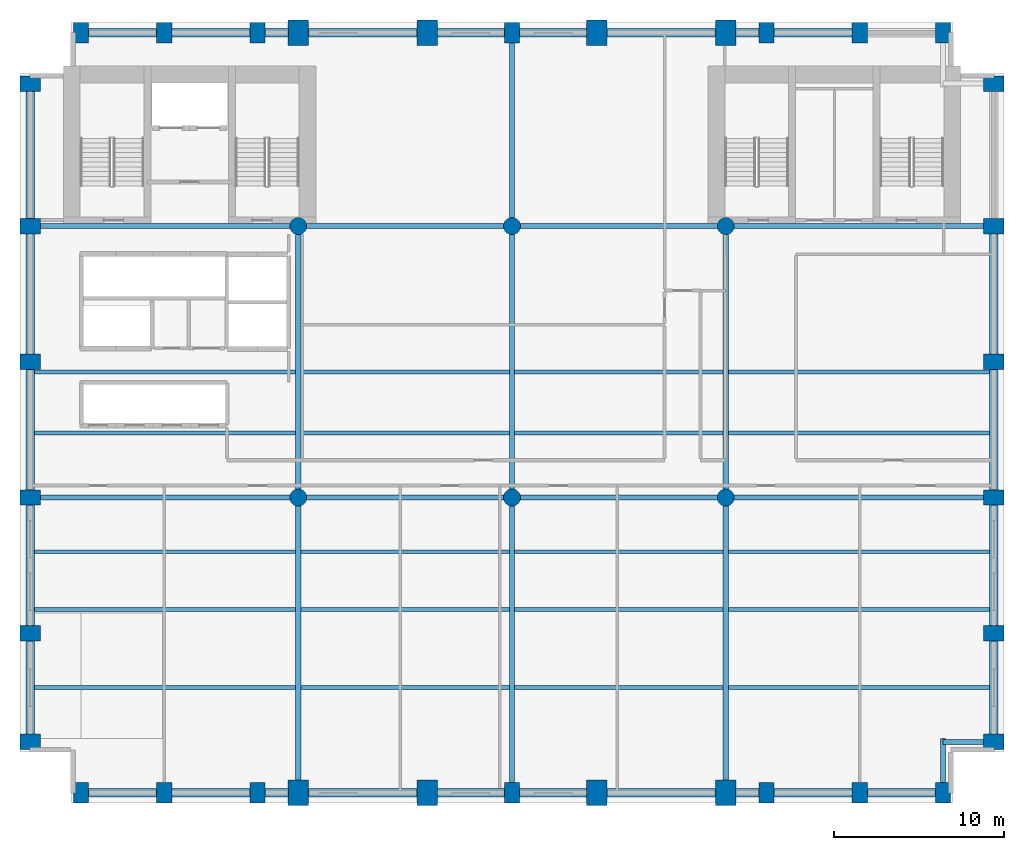
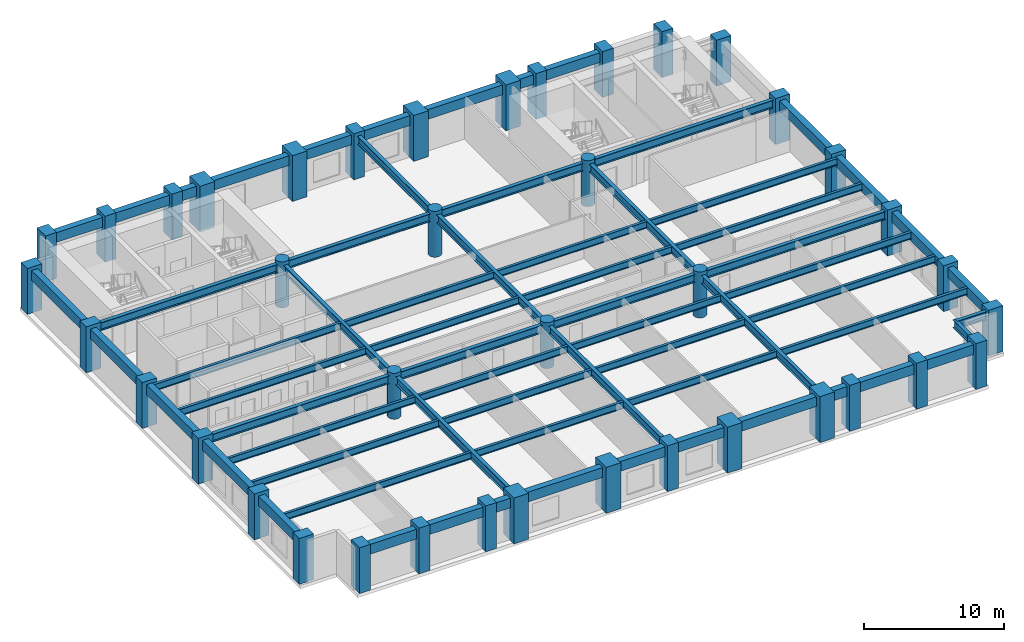
# One storey, part 1 of 9: 65 beams, 40 columns.
"""IFC4 building model written with IfcOpenShell, lengths in metres."""

from ifc_helpers import new_model, si_unit, direction, frame, origin, origin_2d, place, context, subcontext, project, spatial, rectangle, circle, i_section, extrude, material, material_profile, profile_set, type_object, element, save


model = new_model("IFC4")

# Units and contexts
model_context = context("Model", 3, precision=1e-05, world=origin(), true_north=direction((0.0, 1.0)))
body_context = subcontext(model_context, "Body", "Model", "MODEL_VIEW")
ifc_project = project(units=[si_unit("LENGTHUNIT", "METRE"), si_unit("AREAUNIT", "SQUARE_METRE"), si_unit("VOLUMEUNIT", "CUBIC_METRE"), si_unit("PLANEANGLEUNIT", "RADIAN"), si_unit("MASSUNIT", "GRAM", prefix="KILO")], contexts=[model_context])

# Site, building, storey
site_placement = place(None, origin())
site = spatial("IfcSite", under=ifc_project, at=site_placement, CompositionType="ELEMENT")
building_placement = place(site_placement, origin())
building = spatial("IfcBuilding", under=site, at=building_placement, Name="Sulina Concourse Tower", CompositionType="ELEMENT")
storey_placement = place(building_placement, frame((0.0, 0.0, 66.60009765625)))
storey = spatial("IfcBuildingStorey", under=building, at=storey_placement, Name="L16", CompositionType="ELEMENT", Elevation=66.60009765625)

# Columns
ifc_material_1 = material(Name="Concrete C60/75", Category="concrete")
ifc_material_profile_1 = material_profile(ifc_material_1, circle(Radius=0.5, at=origin_2d()), Name="RC D1000")
ifc_profile_set_1 = profile_set([ifc_material_profile_1], Name="Concrete C60/75")
column_type_1 = type_object("IfcColumnType", Name="Lower Interior Circular Column D1000", PredefinedType="COLUMN", material=ifc_profile_set_1)
for number, where, z_axis, x_axis, name in (
    (1, (16.39990234375, 18.0, 0.0), (0.0, 0.0, 1.0), (1.0, 0.0, 0.0), "L16 structural column IC-M-164"),
    (2, (16.39990234375, 34.0, 0.0), (0.0, 0.0, 1.0), (1.0, 0.0, 0.0), "L16 structural column IC-N-164"),
    (3, (29.0, 18.0, 0.0), (0.0, 0.0, 1.0), (1.0, 0.0, 0.0), "L16 structural column IC-M-290"),
    (4, (29.0, 34.0, 0.0), (0.0, 0.0, 1.0), (1.0, 0.0, 0.0), "L16 structural column IC-N-290"),
    (5, (41.60009765625, 18.0, 0.0), (0.0, 0.0, 1.0), (1.0, 0.0, 0.0), "L16 structural column IC-M-416"),
    (6, (41.60009765625, 34.0, 0.0), (0.0, 0.0, 1.0), (1.0, 0.0, 0.0), "L16 structural column IC-N-416"),
):
    element("IfcColumn", number, at=place(storey_placement, frame(where, z_axis=z_axis, x_axis=x_axis)), inside=storey, type_object=column_type_1, Name=name, PredefinedType="COLUMN", context=body_context, shape_type="SweptSolid", body=[
        extrude(circle(Radius=0.5, at=origin_2d()), origin(), (0.0, 0.0, 1.0), 4.0),
    ])
ifc_material_2 = material(Name="Concrete C80/95", Category="concrete")
ifc_material_profile_2 = material_profile(ifc_material_2, rectangle(XDim=1.199951171875, YDim=1.5, at=origin_2d()), Name="RC 1200x1500")
ifc_profile_set_2 = profile_set([ifc_material_profile_2], Name="Concrete C80/95")
column_type_2 = type_object("IfcColumnType", Name="Lower Portal End-Leg Column 1200x1500", PredefinedType="COLUMN", material=ifc_profile_set_2)
for number, where, z_axis, x_axis, name in (
    (7, (16.39990234375, 0.60009765625, 0.0), (0.0, 0.0, 1.0), (1.0, 0.0, 0.0), "L16 structural column TP-S-164"),
    (8, (16.39990234375, 45.39990234375, 0.0), (0.0, 0.0, 1.0), (1.0, 0.0, 0.0), "L16 structural column TP-N-164"),
    (9, (24.0, 0.60009765625, 0.0), (0.0, 0.0, 1.0), (1.0, 0.0, 0.0), "L16 structural column TP-S-240"),
    (10, (24.0, 45.39990234375, 0.0), (0.0, 0.0, 1.0), (1.0, 0.0, 0.0), "L16 structural column TP-N-240"),
    (11, (34.0, 0.60009765625, 0.0), (0.0, 0.0, 1.0), (1.0, 0.0, 0.0), "L16 structural column TP-S-340"),
    (12, (34.0, 45.39990234375, 0.0), (0.0, 0.0, 1.0), (1.0, 0.0, 0.0), "L16 structural column TP-N-340"),
    (13, (41.60009765625, 0.60009765625, 0.0), (0.0, 0.0, 1.0), (1.0, 0.0, 0.0), "L16 structural column TP-S-416"),
    (14, (41.60009765625, 45.39990234375, 0.0), (0.0, 0.0, 1.0), (1.0, 0.0, 0.0), "L16 structural column TP-N-416"),
):
    element("IfcColumn", number, at=place(storey_placement, frame(where, z_axis=z_axis, x_axis=x_axis)), inside=storey, type_object=column_type_2, Name=name, PredefinedType="COLUMN", context=body_context, shape_type="SweptSolid", body=[
        extrude(rectangle(XDim=1.199951171875, YDim=1.5, at=origin_2d()), origin(), (0.0, 0.0, 1.0), 4.0),
    ])
ifc_material_3 = material(Name="Precast concrete C60/75", Category="concrete")
ifc_material_profile_3 = material_profile(ifc_material_3, rectangle(XDim=0.89990234375, YDim=1.199951171875, at=origin_2d()), Name="PC 900x1200")
ifc_profile_set_3 = profile_set([ifc_material_profile_3], Name="Precast concrete C60/75")
column_type_3 = type_object("IfcColumnType", Name="Precast Tube Pier Zone 1 900x1200", PredefinedType="COLUMN", material=ifc_profile_set_3)
for number, where, z_axis, x_axis, name in (
    (15, (3.60009765625, 0.60009765625, 0.0), (0.0, 0.0, 1.0), (1.0, 0.0, 0.0), "L16 structural column TP-S-36"),
    (16, (3.60009765625, 45.39990234375, 0.0), (0.0, 0.0, 1.0), (1.0, 0.0, 0.0), "L16 structural column TP-N-36"),
    (17, (8.5, 0.60009765625, 0.0), (0.0, 0.0, 1.0), (1.0, 0.0, 0.0), "L16 structural column TP-S-85"),
    (18, (8.5, 45.39990234375, 0.0), (0.0, 0.0, 1.0), (1.0, 0.0, 0.0), "L16 structural column TP-N-85"),
    (19, (14.0, 0.60009765625, 0.0), (0.0, 0.0, 1.0), (1.0, 0.0, 0.0), "L16 structural column TP-S-140"),
    (20, (14.0, 45.39990234375, 0.0), (0.0, 0.0, 1.0), (1.0, 0.0, 0.0), "L16 structural column TP-N-140"),
    (21, (29.0, 0.60009765625, 0.0), (0.0, 0.0, 1.0), (1.0, 0.0, 0.0), "L16 structural column TP-S-290"),
    (22, (29.0, 45.39990234375, 0.0), (0.0, 0.0, 1.0), (1.0, 0.0, 0.0), "L16 structural column TP-N-290"),
    (23, (44.0, 0.60009765625, 0.0), (0.0, 0.0, 1.0), (1.0, 0.0, 0.0), "L16 structural column TP-S-440"),
    (24, (44.0, 45.39990234375, 0.0), (0.0, 0.0, 1.0), (1.0, 0.0, 0.0), "L16 structural column TP-N-440"),
    (25, (49.5, 0.60009765625, 0.0), (0.0, 0.0, 1.0), (1.0, 0.0, 0.0), "L16 structural column TP-S-495"),
    (26, (49.5, 45.39990234375, 0.0), (0.0, 0.0, 1.0), (1.0, 0.0, 0.0), "L16 structural column TP-N-495"),
    (27, (54.39990234375, 0.60009765625, 0.0), (0.0, 0.0, 1.0), (1.0, 0.0, 0.0), "L16 structural column TP-S-544"),
    (28, (54.39990234375, 45.39990234375, 0.0), (0.0, 0.0, 1.0), (1.0, 0.0, 0.0), "L16 structural column TP-N-544"),
    (29, (0.60009765625, 3.60009765625, 0.0), (0.0, 0.0, 1.0), (0.0, 1.0, 0.0), "L16 structural column TP-W-36"),
    (30, (57.39990234375, 3.60009765625, 0.0), (0.0, 0.0, 1.0), (0.0, 1.0, 0.0), "L16 structural column TP-E-36"),
    (31, (0.60009765625, 10.0, 0.0), (0.0, 0.0, 1.0), (0.0, 1.0, 0.0), "L16 structural column TP-W-100"),
    (32, (57.39990234375, 10.0, 0.0), (0.0, 0.0, 1.0), (0.0, 1.0, 0.0), "L16 structural column TP-E-100"),
    (33, (0.60009765625, 18.0, 0.0), (0.0, 0.0, 1.0), (0.0, 1.0, 0.0), "L16 structural column TP-W-180"),
    (34, (57.39990234375, 18.0, 0.0), (0.0, 0.0, 1.0), (0.0, 1.0, 0.0), "L16 structural column TP-E-180"),
    (35, (0.60009765625, 26.0, 0.0), (0.0, 0.0, 1.0), (0.0, 1.0, 0.0), "L16 structural column TP-W-260"),
    (36, (57.39990234375, 26.0, 0.0), (0.0, 0.0, 1.0), (0.0, 1.0, 0.0), "L16 structural column TP-E-260"),
    (37, (0.60009765625, 34.0, 0.0), (0.0, 0.0, 1.0), (0.0, 1.0, 0.0), "L16 structural column TP-W-340"),
    (38, (57.39990234375, 34.0, 0.0), (0.0, 0.0, 1.0), (0.0, 1.0, 0.0), "L16 structural column TP-E-340"),
    (39, (0.60009765625, 42.39990234375, 0.0), (0.0, 0.0, 1.0), (0.0, 1.0, 0.0), "L16 structural column TP-W-424"),
    (40, (57.39990234375, 42.39990234375, 0.0), (0.0, 0.0, 1.0), (0.0, 1.0, 0.0), "L16 structural column TP-E-424"),
):
    element("IfcColumn", number, at=place(storey_placement, frame(where, z_axis=z_axis, x_axis=x_axis)), inside=storey, type_object=column_type_3, Name=name, PredefinedType="COLUMN", context=body_context, shape_type="SweptSolid", body=[
        extrude(rectangle(XDim=0.89990234375, YDim=1.199951171875, at=origin_2d()), origin(), (0.0, 0.0, 1.0), 4.0),
    ])

# Beams
ifc_material_4 = material(Name="Steel S355", Category="steel")
ifc_material_profile_4 = material_profile(ifc_material_4, i_section(OverallWidth=0.219970703125, OverallDepth=0.60009765625, WebThickness=0.011962890625, FlangeThickness=0.01904296875, at=origin_2d()), Name="IPE 600")
ifc_profile_set_4 = profile_set([ifc_material_profile_4], Name="Steel S355")
beam_type_1 = type_object("IfcBeamType", Name="Composite Floor Joist IPE600", PredefinedType="JOIST", material=ifc_profile_set_4)
beam_1_placement = place(storey_placement, frame((0.85009765625, 6.800048828125, 3.39990234375), z_axis=(1.0, 0.0, 0.0), x_axis=(0.0, 1.0, 0.0)))
element("IfcBeam", 41, at=beam_1_placement, inside=storey, type_object=beam_type_1, Name="FJ-J06-1-L16", PredefinedType="JOIST", context=body_context, shape_type="SweptSolid", body=[
    extrude(i_section(OverallWidth=0.219970703125, OverallDepth=0.60009765625, WebThickness=0.011962890625, FlangeThickness=0.01904296875, at=origin_2d()), origin(), (0.0, 0.0, 1.0), 15.39990234375),
])
for number, where, z_axis, x_axis, name in (
    (42, (16.550048828125, 6.800048828125, 3.39990234375), (1.0, 0.0, 0.0), (0.0, 1.0, 0.0), "FJ-J06-2-L16"),
    (43, (29.14990234375, 6.800048828125, 3.39990234375), (1.0, 0.0, 0.0), (0.0, 1.0, 0.0), "FJ-J06-3-L16"),
):
    element("IfcBeam", number, at=place(storey_placement, frame(where, z_axis=z_axis, x_axis=x_axis)), inside=storey, type_object=beam_type_1, Name=name, PredefinedType="JOIST", context=body_context, shape_type="SweptSolid", body=[
        extrude(i_section(OverallWidth=0.219970703125, OverallDepth=0.60009765625, WebThickness=0.011962890625, FlangeThickness=0.01904296875, at=origin_2d()), origin(), (0.0, 0.0, 1.0), 12.300048828125),
    ])
for number, where, z_axis, x_axis, name in (
    (44, (41.75, 6.800048828125, 3.39990234375), (1.0, 0.0, 0.0), (0.0, 1.0, 0.0), "FJ-J06-4-L16"),
    (45, (0.85009765625, 11.39990234375, 3.39990234375), (1.0, 0.0, 0.0), (0.0, 1.0, 0.0), "FJ-J11-1-L16"),
):
    element("IfcBeam", number, at=place(storey_placement, frame(where, z_axis=z_axis, x_axis=x_axis)), inside=storey, type_object=beam_type_1, Name=name, PredefinedType="JOIST", context=body_context, shape_type="SweptSolid", body=[
        extrude(i_section(OverallWidth=0.219970703125, OverallDepth=0.60009765625, WebThickness=0.011962890625, FlangeThickness=0.01904296875, at=origin_2d()), origin(), (0.0, 0.0, 1.0), 15.39990234375),
    ])
for number, where, z_axis, x_axis, name in (
    (46, (16.550048828125, 11.39990234375, 3.39990234375), (1.0, 0.0, 0.0), (0.0, 1.0, 0.0), "FJ-J11-2-L16"),
    (47, (29.14990234375, 11.39990234375, 3.39990234375), (1.0, 0.0, 0.0), (0.0, 1.0, 0.0), "FJ-J11-3-L16"),
):
    element("IfcBeam", number, at=place(storey_placement, frame(where, z_axis=z_axis, x_axis=x_axis)), inside=storey, type_object=beam_type_1, Name=name, PredefinedType="JOIST", context=body_context, shape_type="SweptSolid", body=[
        extrude(i_section(OverallWidth=0.219970703125, OverallDepth=0.60009765625, WebThickness=0.011962890625, FlangeThickness=0.01904296875, at=origin_2d()), origin(), (0.0, 0.0, 1.0), 12.300048828125),
    ])
for number, where, z_axis, x_axis, name in (
    (48, (41.75, 11.39990234375, 3.39990234375), (1.0, 0.0, 0.0), (0.0, 1.0, 0.0), "FJ-J11-4-L16"),
    (49, (0.85009765625, 14.800048828125, 3.39990234375), (1.0, 0.0, 0.0), (0.0, 1.0, 0.0), "FJ-J15-1-L16"),
):
    element("IfcBeam", number, at=place(storey_placement, frame(where, z_axis=z_axis, x_axis=x_axis)), inside=storey, type_object=beam_type_1, Name=name, PredefinedType="JOIST", context=body_context, shape_type="SweptSolid", body=[
        extrude(i_section(OverallWidth=0.219970703125, OverallDepth=0.60009765625, WebThickness=0.011962890625, FlangeThickness=0.01904296875, at=origin_2d()), origin(), (0.0, 0.0, 1.0), 15.39990234375),
    ])
for number, where, z_axis, x_axis, name in (
    (50, (16.550048828125, 14.800048828125, 3.39990234375), (1.0, 0.0, 0.0), (0.0, 1.0, 0.0), "FJ-J15-2-L16"),
    (51, (29.14990234375, 14.800048828125, 3.39990234375), (1.0, 0.0, 0.0), (0.0, 1.0, 0.0), "FJ-J15-3-L16"),
):
    element("IfcBeam", number, at=place(storey_placement, frame(where, z_axis=z_axis, x_axis=x_axis)), inside=storey, type_object=beam_type_1, Name=name, PredefinedType="JOIST", context=body_context, shape_type="SweptSolid", body=[
        extrude(i_section(OverallWidth=0.219970703125, OverallDepth=0.60009765625, WebThickness=0.011962890625, FlangeThickness=0.01904296875, at=origin_2d()), origin(), (0.0, 0.0, 1.0), 12.300048828125),
    ])
for number, where, z_axis, x_axis, name in (
    (52, (41.75, 14.800048828125, 3.39990234375), (1.0, 0.0, 0.0), (0.0, 1.0, 0.0), "FJ-J15-4-L16"),
    (53, (0.85009765625, 21.800048828125, 3.39990234375), (1.0, 0.0, 0.0), (0.0, 1.0, 0.0), "FJ-J22-1-L16"),
):
    element("IfcBeam", number, at=place(storey_placement, frame(where, z_axis=z_axis, x_axis=x_axis)), inside=storey, type_object=beam_type_1, Name=name, PredefinedType="JOIST", context=body_context, shape_type="SweptSolid", body=[
        extrude(i_section(OverallWidth=0.219970703125, OverallDepth=0.60009765625, WebThickness=0.011962890625, FlangeThickness=0.01904296875, at=origin_2d()), origin(), (0.0, 0.0, 1.0), 15.39990234375),
    ])
for number, where, z_axis, x_axis, name in (
    (54, (16.550048828125, 21.800048828125, 3.39990234375), (1.0, 0.0, 0.0), (0.0, 1.0, 0.0), "FJ-J22-2-L16"),
    (55, (29.14990234375, 21.800048828125, 3.39990234375), (1.0, 0.0, 0.0), (0.0, 1.0, 0.0), "FJ-J22-3-L16"),
):
    element("IfcBeam", number, at=place(storey_placement, frame(where, z_axis=z_axis, x_axis=x_axis)), inside=storey, type_object=beam_type_1, Name=name, PredefinedType="JOIST", context=body_context, shape_type="SweptSolid", body=[
        extrude(i_section(OverallWidth=0.219970703125, OverallDepth=0.60009765625, WebThickness=0.011962890625, FlangeThickness=0.01904296875, at=origin_2d()), origin(), (0.0, 0.0, 1.0), 12.300048828125),
    ])
for number, where, z_axis, x_axis, name in (
    (56, (41.75, 21.800048828125, 3.39990234375), (1.0, 0.0, 0.0), (0.0, 1.0, 0.0), "FJ-J22-4-L16"),
    (57, (0.85009765625, 25.39990234375, 3.39990234375), (1.0, 0.0, 0.0), (0.0, 1.0, 0.0), "FJ-J25-1-L16"),
):
    element("IfcBeam", number, at=place(storey_placement, frame(where, z_axis=z_axis, x_axis=x_axis)), inside=storey, type_object=beam_type_1, Name=name, PredefinedType="JOIST", context=body_context, shape_type="SweptSolid", body=[
        extrude(i_section(OverallWidth=0.219970703125, OverallDepth=0.60009765625, WebThickness=0.011962890625, FlangeThickness=0.01904296875, at=origin_2d()), origin(), (0.0, 0.0, 1.0), 15.39990234375),
    ])
for number, where, z_axis, x_axis, name in (
    (58, (16.550048828125, 25.39990234375, 3.39990234375), (1.0, 0.0, 0.0), (0.0, 1.0, 0.0), "FJ-J25-2-L16"),
    (59, (29.14990234375, 25.39990234375, 3.39990234375), (1.0, 0.0, 0.0), (0.0, 1.0, 0.0), "FJ-J25-3-L16"),
):
    element("IfcBeam", number, at=place(storey_placement, frame(where, z_axis=z_axis, x_axis=x_axis)), inside=storey, type_object=beam_type_1, Name=name, PredefinedType="JOIST", context=body_context, shape_type="SweptSolid", body=[
        extrude(i_section(OverallWidth=0.219970703125, OverallDepth=0.60009765625, WebThickness=0.011962890625, FlangeThickness=0.01904296875, at=origin_2d()), origin(), (0.0, 0.0, 1.0), 12.300048828125),
    ])
beam_2_placement = place(storey_placement, frame((41.75, 25.39990234375, 3.39990234375), z_axis=(1.0, 0.0, 0.0), x_axis=(0.0, 1.0, 0.0)))
element("IfcBeam", 60, at=beam_2_placement, inside=storey, type_object=beam_type_1, Name="FJ-J25-4-L16", PredefinedType="JOIST", context=body_context, shape_type="SweptSolid", body=[
    extrude(i_section(OverallWidth=0.219970703125, OverallDepth=0.60009765625, WebThickness=0.011962890625, FlangeThickness=0.01904296875, at=origin_2d()), origin(), (0.0, 0.0, 1.0), 15.39990234375),
])
ifc_material_5 = material(Name="Steel S355", Category="steel")
ifc_material_profile_5 = material_profile(ifc_material_5, i_section(OverallWidth=0.300048828125, OverallDepth=0.699951171875, WebThickness=0.01708984375, FlangeThickness=0.031982421875, at=origin_2d()), Name="HE 700 B")
ifc_profile_set_5 = profile_set([ifc_material_profile_5], Name="Steel S355")
beam_type_2 = type_object("IfcBeamType", Name="Floor Primary Girder Zone 1 HE700B", PredefinedType="BEAM", material=ifc_profile_set_5)
beam_3_placement = place(storey_placement, frame((54.39990234375, 3.60009765625, 3.349853515625), z_axis=(1.0, 0.0, 0.0), x_axis=(0.0, 1.0, 0.0)))
element("IfcBeam", 61, at=beam_3_placement, inside=storey, type_object=beam_type_2, Name="TIE-SE-L16", PredefinedType="BEAM", context=body_context, shape_type="SweptSolid", body=[
    extrude(i_section(OverallWidth=0.300048828125, OverallDepth=0.699951171875, WebThickness=0.01708984375, FlangeThickness=0.031982421875, at=origin_2d()), origin(), (0.0, 0.0, 1.0), 2.570068359375),
])
beam_4_placement = place(storey_placement, frame((54.39990234375, 1.030029296875, 3.349853515625), z_axis=(0.0, 1.0, 0.0), x_axis=(-1.0, 0.0, 0.0)))
element("IfcBeam", 62, at=beam_4_placement, inside=storey, type_object=beam_type_2, Name="TIE-SES-L16", PredefinedType="BEAM", context=body_context, shape_type="SweptSolid", body=[
    extrude(i_section(OverallWidth=0.300048828125, OverallDepth=0.699951171875, WebThickness=0.01708984375, FlangeThickness=0.031982421875, at=origin_2d()), origin(), (0.0, 0.0, 1.0), 2.77001953125),
])
beam_5_placement = place(storey_placement, frame((1.030029296875, 18.0, 3.349853515625), z_axis=(1.0, 0.0, 0.0), x_axis=(0.0, 1.0, 0.0)))
element("IfcBeam", 63, at=beam_5_placement, inside=storey, type_object=beam_type_2, Name="FG-EW1-L16", PredefinedType="BEAM", context=body_context, shape_type="SweptSolid", body=[
    extrude(i_section(OverallWidth=0.300048828125, OverallDepth=0.699951171875, WebThickness=0.01708984375, FlangeThickness=0.031982421875, at=origin_2d()), origin(), (0.0, 0.0, 1.0), 14.889892578125),
])
for number, where, z_axis, x_axis, name in (
    (64, (16.8798828125, 18.0, 3.349853515625), (1.0, 0.0, 0.0), (0.0, 1.0, 0.0), "FG-EW2-L16"),
    (65, (29.47998046875, 18.0, 3.349853515625), (1.0, 0.0, 0.0), (0.0, 1.0, 0.0), "FG-EW3-L16"),
):
    element("IfcBeam", number, at=place(storey_placement, frame(where, z_axis=z_axis, x_axis=x_axis)), inside=storey, type_object=beam_type_2, Name=name, PredefinedType="BEAM", context=body_context, shape_type="SweptSolid", body=[
        extrude(i_section(OverallWidth=0.300048828125, OverallDepth=0.699951171875, WebThickness=0.01708984375, FlangeThickness=0.031982421875, at=origin_2d()), origin(), (0.0, 0.0, 1.0), 11.64013671875),
    ])
for number, where, z_axis, x_axis, name in (
    (66, (42.080078125, 18.0, 3.349853515625), (1.0, 0.0, 0.0), (0.0, 1.0, 0.0), "FG-EW4-L16"),
    (67, (1.030029296875, 34.0, 3.349853515625), (1.0, 0.0, 0.0), (0.0, 1.0, 0.0), "FG-EWN1-L16"),
):
    element("IfcBeam", number, at=place(storey_placement, frame(where, z_axis=z_axis, x_axis=x_axis)), inside=storey, type_object=beam_type_2, Name=name, PredefinedType="BEAM", context=body_context, shape_type="SweptSolid", body=[
        extrude(i_section(OverallWidth=0.300048828125, OverallDepth=0.699951171875, WebThickness=0.01708984375, FlangeThickness=0.031982421875, at=origin_2d()), origin(), (0.0, 0.0, 1.0), 14.889892578125),
    ])
for number, where, z_axis, x_axis, name in (
    (68, (16.8798828125, 34.0, 3.349853515625), (1.0, 0.0, 0.0), (0.0, 1.0, 0.0), "FG-EWN2-L16"),
    (69, (29.47998046875, 34.0, 3.349853515625), (1.0, 0.0, 0.0), (0.0, 1.0, 0.0), "FG-EWN3-L16"),
):
    element("IfcBeam", number, at=place(storey_placement, frame(where, z_axis=z_axis, x_axis=x_axis)), inside=storey, type_object=beam_type_2, Name=name, PredefinedType="BEAM", context=body_context, shape_type="SweptSolid", body=[
        extrude(i_section(OverallWidth=0.300048828125, OverallDepth=0.699951171875, WebThickness=0.01708984375, FlangeThickness=0.031982421875, at=origin_2d()), origin(), (0.0, 0.0, 1.0), 11.64013671875),
    ])
beam_6_placement = place(storey_placement, frame((42.080078125, 34.0, 3.349853515625), z_axis=(1.0, 0.0, 0.0), x_axis=(0.0, 1.0, 0.0)))
element("IfcBeam", 70, at=beam_6_placement, inside=storey, type_object=beam_type_2, Name="FG-EWN4-L16", PredefinedType="BEAM", context=body_context, shape_type="SweptSolid", body=[
    extrude(i_section(OverallWidth=0.300048828125, OverallDepth=0.699951171875, WebThickness=0.01708984375, FlangeThickness=0.031982421875, at=origin_2d()), origin(), (0.0, 0.0, 1.0), 14.889892578125),
])
beam_7_placement = place(storey_placement, frame((16.39990234375, 1.179931640625, 3.349853515625), z_axis=(0.0, 1.0, 0.0), x_axis=(-1.0, 0.0, 0.0)))
element("IfcBeam", 71, at=beam_7_placement, inside=storey, type_object=beam_type_2, Name="FG-NSA-16-L16", PredefinedType="BEAM", context=body_context, shape_type="SweptSolid", body=[
    extrude(i_section(OverallWidth=0.300048828125, OverallDepth=0.699951171875, WebThickness=0.01708984375, FlangeThickness=0.031982421875, at=origin_2d()), origin(), (0.0, 0.0, 1.0), 16.340087890625),
])
beam_8_placement = place(storey_placement, frame((16.39990234375, 18.47998046875, 3.349853515625), z_axis=(0.0, 1.0, 0.0), x_axis=(-1.0, 0.0, 0.0)))
element("IfcBeam", 72, at=beam_8_placement, inside=storey, type_object=beam_type_2, Name="FG-NSB-16-L16", PredefinedType="BEAM", context=body_context, shape_type="SweptSolid", body=[
    extrude(i_section(OverallWidth=0.300048828125, OverallDepth=0.699951171875, WebThickness=0.01708984375, FlangeThickness=0.031982421875, at=origin_2d()), origin(), (0.0, 0.0, 1.0), 15.0400390625),
])
beam_9_placement = place(storey_placement, frame((29.0, 1.030029296875, 3.349853515625), z_axis=(0.0, 1.0, 0.0), x_axis=(-1.0, 0.0, 0.0)))
element("IfcBeam", 73, at=beam_9_placement, inside=storey, type_object=beam_type_2, Name="FG-NSA-29-L16", PredefinedType="BEAM", context=body_context, shape_type="SweptSolid", body=[
    extrude(i_section(OverallWidth=0.300048828125, OverallDepth=0.699951171875, WebThickness=0.01708984375, FlangeThickness=0.031982421875, at=origin_2d()), origin(), (0.0, 0.0, 1.0), 16.489990234375),
])
beam_10_placement = place(storey_placement, frame((29.0, 18.47998046875, 3.349853515625), z_axis=(0.0, 1.0, 0.0), x_axis=(-1.0, 0.0, 0.0)))
element("IfcBeam", 74, at=beam_10_placement, inside=storey, type_object=beam_type_2, Name="FG-NSB-29-L16", PredefinedType="BEAM", context=body_context, shape_type="SweptSolid", body=[
    extrude(i_section(OverallWidth=0.300048828125, OverallDepth=0.699951171875, WebThickness=0.01708984375, FlangeThickness=0.031982421875, at=origin_2d()), origin(), (0.0, 0.0, 1.0), 15.0400390625),
])
beam_11_placement = place(storey_placement, frame((29.0, 34.47998046875, 3.349853515625), z_axis=(0.0, 1.0, 0.0), x_axis=(-1.0, 0.0, 0.0)))
element("IfcBeam", 75, at=beam_11_placement, inside=storey, type_object=beam_type_2, Name="FG-NSC-29-L16", PredefinedType="BEAM", context=body_context, shape_type="SweptSolid", body=[
    extrude(i_section(OverallWidth=0.300048828125, OverallDepth=0.699951171875, WebThickness=0.01708984375, FlangeThickness=0.031982421875, at=origin_2d()), origin(), (0.0, 0.0, 1.0), 10.489990234375),
])
beam_12_placement = place(storey_placement, frame((41.60009765625, 1.179931640625, 3.349853515625), z_axis=(0.0, 1.0, 0.0), x_axis=(-1.0, 0.0, 0.0)))
element("IfcBeam", 76, at=beam_12_placement, inside=storey, type_object=beam_type_2, Name="FG-NSA-41-L16", PredefinedType="BEAM", context=body_context, shape_type="SweptSolid", body=[
    extrude(i_section(OverallWidth=0.300048828125, OverallDepth=0.699951171875, WebThickness=0.01708984375, FlangeThickness=0.031982421875, at=origin_2d()), origin(), (0.0, 0.0, 1.0), 16.340087890625),
])
beam_13_placement = place(storey_placement, frame((41.60009765625, 18.47998046875, 3.349853515625), z_axis=(0.0, 1.0, 0.0), x_axis=(-1.0, 0.0, 0.0)))
element("IfcBeam", 77, at=beam_13_placement, inside=storey, type_object=beam_type_2, Name="FG-NSB-41-L16", PredefinedType="BEAM", context=body_context, shape_type="SweptSolid", body=[
    extrude(i_section(OverallWidth=0.300048828125, OverallDepth=0.699951171875, WebThickness=0.01708984375, FlangeThickness=0.031982421875, at=origin_2d()), origin(), (0.0, 0.0, 1.0), 15.0400390625),
])
ifc_material_6 = material(Name="Precast concrete C50/60", Category="concrete")
ifc_material_profile_6 = material_profile(ifc_material_6, rectangle(XDim=0.5, YDim=0.85009765625, at=origin_2d()), Name="RC 500x850")
ifc_profile_set_6 = profile_set([ifc_material_profile_6], Name="Precast concrete C50/60")
beam_type_3 = type_object("IfcBeamType", Name="Lower Precast Spandrel Edge Beam 500x850", PredefinedType="BEAM", material=ifc_profile_set_6)
beam_14_placement = place(storey_placement, frame((4.030029296875, 0.60009765625, 3.27490234375), z_axis=(1.0, 0.0, 0.0), x_axis=(0.0, 1.0, 0.0)))
element("IfcBeam", 78, at=beam_14_placement, inside=storey, type_object=beam_type_3, Name="SP-S1-L16", PredefinedType="BEAM", context=body_context, shape_type="SweptSolid", body=[
    extrude(rectangle(XDim=0.5, YDim=0.85009765625, at=origin_2d()), origin(), (0.0, 0.0, 1.0), 4.0400390625),
])
beam_15_placement = place(storey_placement, frame((8.929931640625, 0.60009765625, 3.27490234375), z_axis=(1.0, 0.0, 0.0), x_axis=(0.0, 1.0, 0.0)))
element("IfcBeam", 79, at=beam_15_placement, inside=storey, type_object=beam_type_3, Name="SP-S2-L16", PredefinedType="BEAM", context=body_context, shape_type="SweptSolid", body=[
    extrude(rectangle(XDim=0.5, YDim=0.85009765625, at=origin_2d()), origin(), (0.0, 0.0, 1.0), 4.64013671875),
])
beam_16_placement = place(storey_placement, frame((14.429931640625, 0.60009765625, 3.27490234375), z_axis=(1.0, 0.0, 0.0), x_axis=(0.0, 1.0, 0.0)))
element("IfcBeam", 80, at=beam_16_placement, inside=storey, type_object=beam_type_3, Name="SP-S3-L16", PredefinedType="BEAM", context=body_context, shape_type="SweptSolid", body=[
    extrude(rectangle(XDim=0.5, YDim=0.85009765625, at=origin_2d()), origin(), (0.0, 0.0, 1.0), 1.39013671875),
])
beam_17_placement = place(storey_placement, frame((16.97998046875, 0.60009765625, 3.27490234375), z_axis=(1.0, 0.0, 0.0), x_axis=(0.0, 1.0, 0.0)))
element("IfcBeam", 81, at=beam_17_placement, inside=storey, type_object=beam_type_3, Name="SP-S4-L16", PredefinedType="BEAM", context=body_context, shape_type="SweptSolid", body=[
    extrude(rectangle(XDim=0.5, YDim=0.85009765625, at=origin_2d()), origin(), (0.0, 0.0, 1.0), 6.43994140625),
])
for number, where, z_axis, x_axis, name in (
    (82, (24.580078125, 0.60009765625, 3.27490234375), (1.0, 0.0, 0.0), (0.0, 1.0, 0.0), "SP-S5-L16"),
    (83, (29.429931640625, 0.60009765625, 3.27490234375), (1.0, 0.0, 0.0), (0.0, 1.0, 0.0), "SP-S6-L16"),
):
    element("IfcBeam", number, at=place(storey_placement, frame(where, z_axis=z_axis, x_axis=x_axis)), inside=storey, type_object=beam_type_3, Name=name, PredefinedType="BEAM", context=body_context, shape_type="SweptSolid", body=[
        extrude(rectangle(XDim=0.5, YDim=0.85009765625, at=origin_2d()), origin(), (0.0, 0.0, 1.0), 3.989990234375),
    ])
beam_18_placement = place(storey_placement, frame((34.580078125, 0.60009765625, 3.27490234375), z_axis=(1.0, 0.0, 0.0), x_axis=(0.0, 1.0, 0.0)))
element("IfcBeam", 84, at=beam_18_placement, inside=storey, type_object=beam_type_3, Name="SP-S7-L16", PredefinedType="BEAM", context=body_context, shape_type="SweptSolid", body=[
    extrude(rectangle(XDim=0.5, YDim=0.85009765625, at=origin_2d()), origin(), (0.0, 0.0, 1.0), 6.43994140625),
])
beam_19_placement = place(storey_placement, frame((42.179931640625, 0.60009765625, 3.27490234375), z_axis=(1.0, 0.0, 0.0), x_axis=(0.0, 1.0, 0.0)))
element("IfcBeam", 85, at=beam_19_placement, inside=storey, type_object=beam_type_3, Name="SP-S8-L16", PredefinedType="BEAM", context=body_context, shape_type="SweptSolid", body=[
    extrude(rectangle(XDim=0.5, YDim=0.85009765625, at=origin_2d()), origin(), (0.0, 0.0, 1.0), 1.39013671875),
])
beam_20_placement = place(storey_placement, frame((44.429931640625, 0.60009765625, 3.27490234375), z_axis=(1.0, 0.0, 0.0), x_axis=(0.0, 1.0, 0.0)))
element("IfcBeam", 86, at=beam_20_placement, inside=storey, type_object=beam_type_3, Name="SP-S9-L16", PredefinedType="BEAM", context=body_context, shape_type="SweptSolid", body=[
    extrude(rectangle(XDim=0.5, YDim=0.85009765625, at=origin_2d()), origin(), (0.0, 0.0, 1.0), 4.64013671875),
])
for number, where, z_axis, x_axis, name in (
    (87, (49.929931640625, 0.60009765625, 3.27490234375), (1.0, 0.0, 0.0), (0.0, 1.0, 0.0), "SP-S10-L16"),
    (88, (4.030029296875, 45.39990234375, 3.27490234375), (1.0, 0.0, 0.0), (0.0, 1.0, 0.0), "SP-N1-L16"),
):
    element("IfcBeam", number, at=place(storey_placement, frame(where, z_axis=z_axis, x_axis=x_axis)), inside=storey, type_object=beam_type_3, Name=name, PredefinedType="BEAM", context=body_context, shape_type="SweptSolid", body=[
        extrude(rectangle(XDim=0.5, YDim=0.85009765625, at=origin_2d()), origin(), (0.0, 0.0, 1.0), 4.0400390625),
    ])
beam_21_placement = place(storey_placement, frame((8.929931640625, 45.39990234375, 3.27490234375), z_axis=(1.0, 0.0, 0.0), x_axis=(0.0, 1.0, 0.0)))
element("IfcBeam", 89, at=beam_21_placement, inside=storey, type_object=beam_type_3, Name="SP-N2-L16", PredefinedType="BEAM", context=body_context, shape_type="SweptSolid", body=[
    extrude(rectangle(XDim=0.5, YDim=0.85009765625, at=origin_2d()), origin(), (0.0, 0.0, 1.0), 4.64013671875),
])
beam_22_placement = place(storey_placement, frame((14.429931640625, 45.39990234375, 3.27490234375), z_axis=(1.0, 0.0, 0.0), x_axis=(0.0, 1.0, 0.0)))
element("IfcBeam", 90, at=beam_22_placement, inside=storey, type_object=beam_type_3, Name="SP-N3-L16", PredefinedType="BEAM", context=body_context, shape_type="SweptSolid", body=[
    extrude(rectangle(XDim=0.5, YDim=0.85009765625, at=origin_2d()), origin(), (0.0, 0.0, 1.0), 1.39013671875),
])
beam_23_placement = place(storey_placement, frame((16.97998046875, 45.39990234375, 3.27490234375), z_axis=(1.0, 0.0, 0.0), x_axis=(0.0, 1.0, 0.0)))
element("IfcBeam", 91, at=beam_23_placement, inside=storey, type_object=beam_type_3, Name="SP-N4-L16", PredefinedType="BEAM", context=body_context, shape_type="SweptSolid", body=[
    extrude(rectangle(XDim=0.5, YDim=0.85009765625, at=origin_2d()), origin(), (0.0, 0.0, 1.0), 6.43994140625),
])
for number, where, z_axis, x_axis, name in (
    (92, (24.580078125, 45.39990234375, 3.27490234375), (1.0, 0.0, 0.0), (0.0, 1.0, 0.0), "SP-N5-L16"),
    (93, (29.429931640625, 45.39990234375, 3.27490234375), (1.0, 0.0, 0.0), (0.0, 1.0, 0.0), "SP-N6-L16"),
):
    element("IfcBeam", number, at=place(storey_placement, frame(where, z_axis=z_axis, x_axis=x_axis)), inside=storey, type_object=beam_type_3, Name=name, PredefinedType="BEAM", context=body_context, shape_type="SweptSolid", body=[
        extrude(rectangle(XDim=0.5, YDim=0.85009765625, at=origin_2d()), origin(), (0.0, 0.0, 1.0), 3.989990234375),
    ])
beam_24_placement = place(storey_placement, frame((34.580078125, 45.39990234375, 3.27490234375), z_axis=(1.0, 0.0, 0.0), x_axis=(0.0, 1.0, 0.0)))
element("IfcBeam", 94, at=beam_24_placement, inside=storey, type_object=beam_type_3, Name="SP-N7-L16", PredefinedType="BEAM", context=body_context, shape_type="SweptSolid", body=[
    extrude(rectangle(XDim=0.5, YDim=0.85009765625, at=origin_2d()), origin(), (0.0, 0.0, 1.0), 6.43994140625),
])
beam_25_placement = place(storey_placement, frame((42.179931640625, 45.39990234375, 3.27490234375), z_axis=(1.0, 0.0, 0.0), x_axis=(0.0, 1.0, 0.0)))
element("IfcBeam", 95, at=beam_25_placement, inside=storey, type_object=beam_type_3, Name="SP-N8-L16", PredefinedType="BEAM", context=body_context, shape_type="SweptSolid", body=[
    extrude(rectangle(XDim=0.5, YDim=0.85009765625, at=origin_2d()), origin(), (0.0, 0.0, 1.0), 1.39013671875),
])
beam_26_placement = place(storey_placement, frame((44.429931640625, 45.39990234375, 3.27490234375), z_axis=(1.0, 0.0, 0.0), x_axis=(0.0, 1.0, 0.0)))
element("IfcBeam", 96, at=beam_26_placement, inside=storey, type_object=beam_type_3, Name="SP-N9-L16", PredefinedType="BEAM", context=body_context, shape_type="SweptSolid", body=[
    extrude(rectangle(XDim=0.5, YDim=0.85009765625, at=origin_2d()), origin(), (0.0, 0.0, 1.0), 4.64013671875),
])
beam_27_placement = place(storey_placement, frame((0.60009765625, 4.030029296875, 3.27490234375), z_axis=(0.0, 1.0, 0.0), x_axis=(-1.0, 0.0, 0.0)))
element("IfcBeam", 97, at=beam_27_placement, inside=storey, type_object=beam_type_3, Name="SP-W1-L16", PredefinedType="BEAM", context=body_context, shape_type="SweptSolid", body=[
    extrude(rectangle(XDim=0.5, YDim=0.85009765625, at=origin_2d()), origin(), (0.0, 0.0, 1.0), 5.5400390625),
])
for number, where, z_axis, x_axis, name in (
    (98, (0.60009765625, 10.429931640625, 3.27490234375), (0.0, 1.0, 0.0), (-1.0, 0.0, 0.0), "SP-W2-L16"),
    (99, (0.60009765625, 18.429931640625, 3.27490234375), (0.0, 1.0, 0.0), (-1.0, 0.0, 0.0), "SP-W3-L16"),
    (100, (0.60009765625, 26.429931640625, 3.27490234375), (0.0, 1.0, 0.0), (-1.0, 0.0, 0.0), "SP-W4-L16"),
):
    element("IfcBeam", number, at=place(storey_placement, frame(where, z_axis=z_axis, x_axis=x_axis)), inside=storey, type_object=beam_type_3, Name=name, PredefinedType="BEAM", context=body_context, shape_type="SweptSolid", body=[
        extrude(rectangle(XDim=0.5, YDim=0.85009765625, at=origin_2d()), origin(), (0.0, 0.0, 1.0), 7.14013671875),
    ])
beam_28_placement = place(storey_placement, frame((0.60009765625, 34.429931640625, 3.27490234375), z_axis=(0.0, 1.0, 0.0), x_axis=(-1.0, 0.0, 0.0)))
element("IfcBeam", 101, at=beam_28_placement, inside=storey, type_object=beam_type_3, Name="SP-W5-L16", PredefinedType="BEAM", context=body_context, shape_type="SweptSolid", body=[
    extrude(rectangle(XDim=0.5, YDim=0.85009765625, at=origin_2d()), origin(), (0.0, 0.0, 1.0), 7.5400390625),
])
beam_29_placement = place(storey_placement, frame((57.39990234375, 4.030029296875, 3.27490234375), z_axis=(0.0, 1.0, 0.0), x_axis=(-1.0, 0.0, 0.0)))
element("IfcBeam", 102, at=beam_29_placement, inside=storey, type_object=beam_type_3, Name="SP-E1-L16", PredefinedType="BEAM", context=body_context, shape_type="SweptSolid", body=[
    extrude(rectangle(XDim=0.5, YDim=0.85009765625, at=origin_2d()), origin(), (0.0, 0.0, 1.0), 5.5400390625),
])
for number, where, z_axis, x_axis, name in (
    (103, (57.39990234375, 10.429931640625, 3.27490234375), (0.0, 1.0, 0.0), (-1.0, 0.0, 0.0), "SP-E2-L16"),
    (104, (57.39990234375, 18.429931640625, 3.27490234375), (0.0, 1.0, 0.0), (-1.0, 0.0, 0.0), "SP-E3-L16"),
    (105, (57.39990234375, 26.429931640625, 3.27490234375), (0.0, 1.0, 0.0), (-1.0, 0.0, 0.0), "SP-E4-L16"),
):
    element("IfcBeam", number, at=place(storey_placement, frame(where, z_axis=z_axis, x_axis=x_axis)), inside=storey, type_object=beam_type_3, Name=name, PredefinedType="BEAM", context=body_context, shape_type="SweptSolid", body=[
        extrude(rectangle(XDim=0.5, YDim=0.85009765625, at=origin_2d()), origin(), (0.0, 0.0, 1.0), 7.14013671875),
    ])

save(model, "model.ifc")
